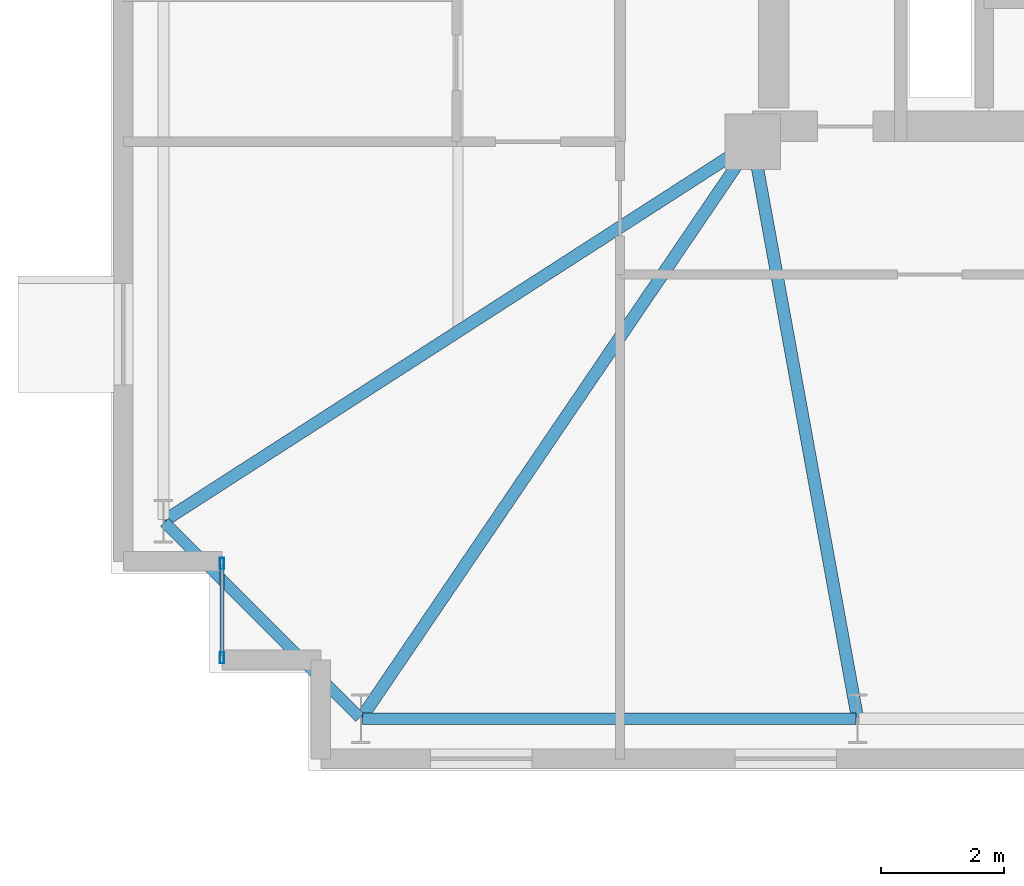
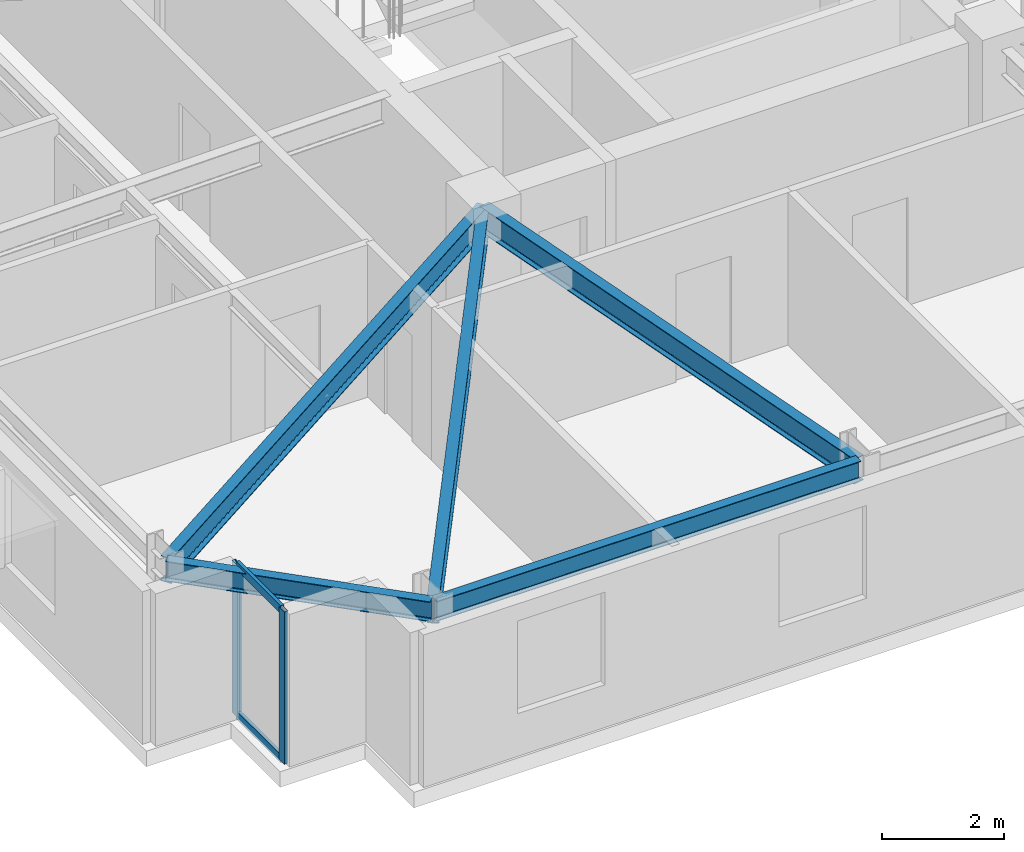
# One storey, part 3 of 17: 5 beams, 4 members, 1 element without a shape of its own.
"""IFC4 building model written with IfcOpenShell, lengths in metres."""

from ifc_helpers import new_model, si_unit, direction, frame, origin, origin_2d, place, context, subcontext, project, spatial, hollow_rectangle, i_section, extrude, material, layer, layer_set, material_profile, profile_set, type_object, element, aggregate, save


model = new_model("IFC4")

# Units and contexts
model_context = context("Model", 3, precision=1e-05, world=origin(), true_north=direction((0.0, 1.0)))
body_context = subcontext(model_context, "Body", "Model", "MODEL_VIEW")
ifc_project = project(units=[si_unit("LENGTHUNIT", "METRE"), si_unit("AREAUNIT", "SQUARE_METRE"), si_unit("VOLUMEUNIT", "CUBIC_METRE"), si_unit("PLANEANGLEUNIT", "RADIAN"), si_unit("MASSUNIT", "GRAM", prefix="KILO")], contexts=[model_context])

# Site, building, storey
site_placement = place(None, origin())
site = spatial("IfcSite", under=ifc_project, at=site_placement, CompositionType="ELEMENT")
building_placement = place(site_placement, origin())
building = spatial("IfcBuilding", under=site, at=building_placement, Name="Qobustan Lattice House", CompositionType="ELEMENT")
storey_placement = place(building_placement, frame((0.0, 0.0, 164.5)))
storey = spatial("IfcBuildingStorey", under=building, at=storey_placement, Name="L46", CompositionType="ELEMENT", Elevation=164.5)

# Beams
ifc_material_1 = material(Name="Steel S355", Category="steel")
ifc_material_profile_1 = material_profile(ifc_material_1, i_section(OverallWidth=0.199951171875, OverallDepth=0.5, WebThickness=0.01025390625, FlangeThickness=0.01611328125, FilletRadius=0.02099609375, at=origin_2d()), Name="IPE500")
ifc_profile_set_1 = profile_set([ifc_material_profile_1], Name="Steel S355")
beam_type_1 = type_object("IfcBeamType", Name="BM-FLG-IPE500", PredefinedType="USERDEFINED", material=ifc_profile_set_1)
beam_1_placement = place(storey_placement, frame((-25.135986328125, -14.92919921875, 2.7900390625), z_axis=(0.561834572616, 0.827249607442, 0.0), x_axis=(-0.827249607442, 0.561834572616, 0.0)))
element("IfcBeam", 1, at=beam_1_placement, inside=storey, type_object=beam_type_1, Name="L46 primary floor girder RAD-S1W", ObjectType="GIRDER", PredefinedType="USERDEFINED", context=body_context, shape_type="SweptSolid", body=[
    extrude(i_section(OverallWidth=0.199951171875, OverallDepth=0.5, WebThickness=0.01025390625, FlangeThickness=0.01611328125, FilletRadius=0.02099609375, at=origin_2d()), origin(), (0.0, 0.0, 1.0), 11.25244140625),
])
beam_2_placement = place(storey_placement, frame((-17.1044921875, -14.92529296875, 2.7900390625), z_axis=(-0.178871801984, 0.983872389314, 0.0), x_axis=(-0.983872389314, -0.178871801984, 0.0)))
element("IfcBeam", 2, at=beam_2_placement, inside=storey, type_object=beam_type_1, Name="L46 primary floor girder RAD-S2", ObjectType="GIRDER", PredefinedType="USERDEFINED", context=body_context, shape_type="SweptSolid", body=[
    extrude(i_section(OverallWidth=0.199951171875, OverallDepth=0.5, WebThickness=0.01025390625, FlangeThickness=0.01611328125, FilletRadius=0.02099609375, at=origin_2d()), origin(), (0.0, 0.0, 1.0), 9.453125),
])
beam_3_placement = place(storey_placement, frame((-28.3291015625, -11.736572265625, 2.7900390625), z_axis=(0.840746836292, 0.5414284415, 0.0), x_axis=(-0.5414284415, 0.840746836292, 0.0)))
element("IfcBeam", 3, at=beam_3_placement, inside=storey, type_object=beam_type_1, Name="L46 primary floor girder RAD-W4", ObjectType="GIRDER", PredefinedType="USERDEFINED", context=body_context, shape_type="SweptSolid", body=[
    extrude(i_section(OverallWidth=0.199951171875, OverallDepth=0.5, WebThickness=0.01025390625, FlangeThickness=0.01611328125, FilletRadius=0.02099609375, at=origin_2d()), origin(), (0.0, 0.0, 1.0), 11.30908203125),
])
ifc_material_2 = material(Name="Steel S355", Category="steel")
ifc_material_profile_2 = material_profile(ifc_material_2, i_section(OverallWidth=0.179931640625, OverallDepth=0.39990234375, WebThickness=0.008544921875, FlangeThickness=0.013427734375, FilletRadius=0.02099609375, at=origin_2d()), Name="IPE400")
ifc_profile_set_2 = profile_set([ifc_material_profile_2], Name="Steel S355")
beam_type_2 = type_object("IfcBeamType", Name="BM-SPD-IPE400", PredefinedType="SPANDREL", material=ifc_profile_set_2)
beam_4_placement = place(storey_placement, frame((-25.125, -14.949951171875, 2.840087890625), z_axis=(1.0, 0.0, 0.0), x_axis=(0.0, 1.0, 0.0)))
element("IfcBeam", 4, at=beam_4_placement, inside=storey, type_object=beam_type_2, Name="L46 perimeter spandrel S1-S2", PredefinedType="SPANDREL", context=body_context, shape_type="SweptSolid", body=[
    extrude(i_section(OverallWidth=0.179931640625, OverallDepth=0.39990234375, WebThickness=0.008544921875, FlangeThickness=0.013427734375, FilletRadius=0.02099609375, at=origin_2d()), origin(), (0.0, 0.0, 1.0), 8.0),
])
beam_5_placement = place(storey_placement, frame((-28.332275390625, -11.767578125, 2.840087890625), z_axis=(0.707079505568, -0.707134055753, 0.0), x_axis=(0.707134055753, 0.707079505568, 0.0)))
element("IfcBeam", 5, at=beam_5_placement, inside=storey, type_object=beam_type_2, Name="L46 perimeter spandrel W4-S1", PredefinedType="SPANDREL", context=body_context, shape_type="SweptSolid", body=[
    extrude(i_section(OverallWidth=0.179931640625, OverallDepth=0.39990234375, WebThickness=0.008544921875, FlangeThickness=0.013427734375, FilletRadius=0.02099609375, at=origin_2d()), origin(), (0.0, 0.0, 1.0), 4.4755859375),
])

# Curtain wall, members
ifc_material_3 = material(Name="Anodised aluminium and low-E glazing", Category="aluminium")
ifc_layer = layer(ifc_material_3, 0.219970703125)
ifc_layer_set = layer_set([ifc_layer], Name="Anodised aluminium and low-E glazing")
curtain_wall_type = type_object("IfcCurtainWallType", Name="CW-FAC-02", PredefinedType="USERDEFINED", material=ifc_layer_set)
curtain_wall_placement = place(storey_placement, origin())
curtain_wall = element("IfcCurtainWall", 6, at=curtain_wall_placement, inside=storey, type_object=curtain_wall_type, Name="L46 serrated corner faceted glazing 3", ObjectType="CURTAIN WALL", PredefinedType="USERDEFINED")
ifc_material_4 = material(Name="Anodised aluminium EN AW-6063 T6", Category="aluminium")
ifc_material_profile_3 = material_profile(ifc_material_4, hollow_rectangle(XDim=0.070068359375, YDim=0.179931640625, WallThickness=0.00439453125, at=origin_2d()), Name="CWM-180x70")
ifc_profile_set_3 = profile_set([ifc_material_profile_3], Name="Anodised aluminium EN AW-6063 T6")
member_type_1 = type_object("IfcMemberType", Name="CWM-STD-180", PredefinedType="MULLION", material=ifc_profile_set_3)
member_1_placement = place(storey_placement, frame((-27.39990234375, -13.965087890625, 0.0), z_axis=(0.0, 0.0, 1.0), x_axis=(-1.0, 0.0, 0.0)))
member_1 = element("IfcMember", 7, at=member_1_placement, type_object=member_type_1, Name="CW-F2 mullion 1", PredefinedType="MULLION", context=body_context, shape_type="SweptSolid", body=[
    extrude(hollow_rectangle(XDim=0.070068359375, YDim=0.179931640625, WallThickness=0.00439453125, at=origin_2d()), origin(), (0.0, 0.0, 1.0), 3.0400390625),
])
member_2_placement = place(storey_placement, frame((-27.39990234375, -12.43505859375, 0.0), z_axis=(0.0, 0.0, 1.0), x_axis=(-1.0, 0.0, 0.0)))
member_2 = element("IfcMember", 8, at=member_2_placement, type_object=member_type_1, Name="CW-F2 mullion 2", PredefinedType="MULLION", context=body_context, shape_type="SweptSolid", body=[
    extrude(hollow_rectangle(XDim=0.070068359375, YDim=0.179931640625, WallThickness=0.00439453125, at=origin_2d()), origin(), (0.0, 0.0, 1.0), 3.0400390625),
])
ifc_material_5 = material(Name="Anodised aluminium EN AW-6063 T6", Category="aluminium")
ifc_material_profile_4 = material_profile(ifc_material_5, hollow_rectangle(XDim=0.06494140625, YDim=0.159912109375, WallThickness=0.00390625, at=origin_2d()), Name="CWT-160x65")
ifc_profile_set_4 = profile_set([ifc_material_profile_4], Name="Anodised aluminium EN AW-6063 T6")
member_type_2 = type_object("IfcMemberType", Name="CWT-HOR-160", PredefinedType="USERDEFINED", material=ifc_profile_set_4)
member_3_placement = place(storey_placement, frame((-27.39990234375, -13.929931640625, 0.032470703125), z_axis=(0.0, 1.0, 0.0), x_axis=(-1.0, 0.0, 0.0)))
member_3 = element("IfcMember", 9, at=member_3_placement, type_object=member_type_2, Name="CW-F2 transom 1.1", ObjectType="TRANSOM", PredefinedType="USERDEFINED", context=body_context, shape_type="SweptSolid", body=[
    extrude(hollow_rectangle(XDim=0.06494140625, YDim=0.159912109375, WallThickness=0.00390625, at=origin_2d()), origin(), (0.0, 0.0, 1.0), 1.4599609375),
])
member_4_placement = place(storey_placement, frame((-27.39990234375, -13.929931640625, 3.007568359375), z_axis=(0.0, 1.0, 0.0), x_axis=(-1.0, 0.0, 0.0)))
member_4 = element("IfcMember", 10, at=member_4_placement, type_object=member_type_2, Name="CW-F2 transom 1.2", ObjectType="TRANSOM", PredefinedType="USERDEFINED", context=body_context, shape_type="SweptSolid", body=[
    extrude(hollow_rectangle(XDim=0.06494140625, YDim=0.159912109375, WallThickness=0.00390625, at=origin_2d()), origin(), (0.0, 0.0, 1.0), 1.4599609375),
])
aggregate(curtain_wall, [member_1, member_2, member_3, member_4])

save(model, "model.ifc")
